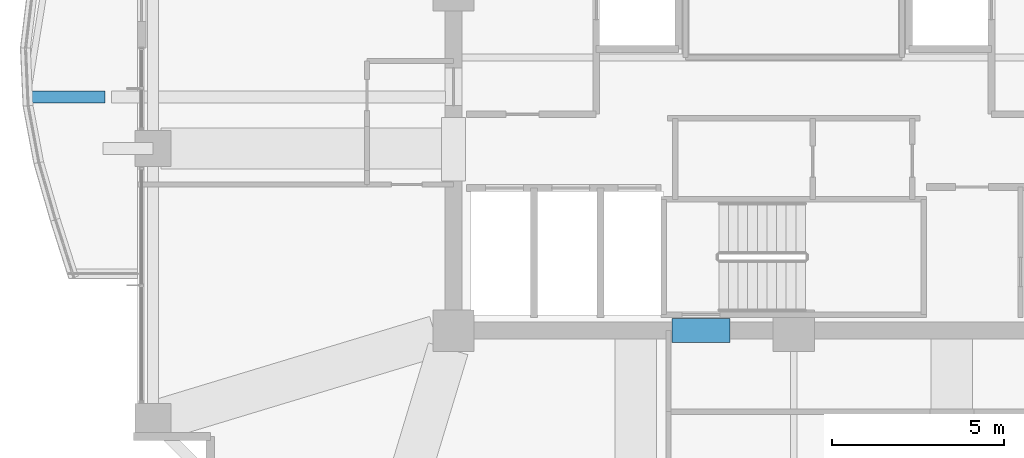
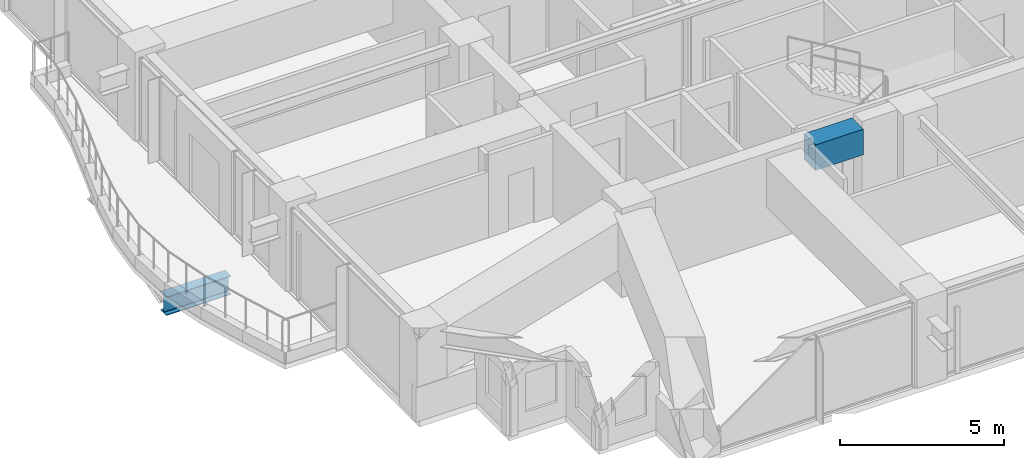
# One storey, part 8 of 36: 2 beams.
"""IFC4 building model written with IfcOpenShell, lengths in metres."""

from ifc_helpers import new_model, si_unit, direction, frame, origin, origin_2d, place, context, subcontext, project, spatial, rectangle, i_section, extrude, material, material_profile, profile_set, type_object, element, save


model = new_model("IFC4")

# Units and contexts
model_context = context("Model", 3, precision=1e-05, world=origin(), true_north=direction((0.0, 1.0)))
body_context = subcontext(model_context, "Body", "Model", "MODEL_VIEW")
ifc_project = project(units=[si_unit("LENGTHUNIT", "METRE"), si_unit("AREAUNIT", "SQUARE_METRE"), si_unit("VOLUMEUNIT", "CUBIC_METRE"), si_unit("PLANEANGLEUNIT", "RADIAN"), si_unit("MASSUNIT", "GRAM", prefix="KILO")], contexts=[model_context])

# Site, building, storey
site_placement = place(None, origin())
site = spatial("IfcSite", under=ifc_project, at=site_placement, CompositionType="ELEMENT")
building_placement = place(site_placement, origin())
building = spatial("IfcBuilding", under=site, at=building_placement, Name="Kolvaren Belvedere", CompositionType="ELEMENT")
storey_placement = place(building_placement, frame((0.0, 0.0, 108.5)))
storey = spatial("IfcBuildingStorey", under=building, at=storey_placement, Name="L31", CompositionType="ELEMENT", Elevation=108.5)

# Beams
ifc_material_1 = material(Name="Structural steel ASTM A992 Grade 50", Category="steel")
ifc_material_profile_1 = material_profile(ifc_material_1, i_section(OverallWidth=0.35498046875, OverallDepth=0.696044921875, WebThickness=0.015380859375, FlangeThickness=0.02490234375, FilletRadius=0.02197265625, at=origin_2d()), Name="W27X146")
ifc_profile_set_1 = profile_set([ifc_material_profile_1], Name="Structural steel ASTM A992 Grade 50")
beam_type_1 = type_object("IfcBeamType", Name="BM-CANT-BAL", PredefinedType="BEAM", material=ifc_profile_set_1)
beam_1_placement = place(storey_placement, frame((-20.044921875, -3.10009765625, -0.568115234375), z_axis=(-1.0, 0.0, 0.0), x_axis=(0.0, -1.0, 0.0)))
element("IfcBeam", 1, at=beam_1_placement, inside=storey, type_object=beam_type_1, Name="L31 Planted Balcony Cantilever BAL-W-1", PredefinedType="BEAM", context=body_context, shape_type="SweptSolid", body=[
    extrude(i_section(OverallWidth=0.35498046875, OverallDepth=0.696044921875, WebThickness=0.015380859375, FlangeThickness=0.02490234375, FilletRadius=0.02197265625, at=origin_2d()), origin(), (0.0, 0.0, 1.0), 2.27099609375),
])
ifc_material_2 = material(Name="Concrete C60/75", Category="concrete")
ifc_material_profile_2 = material_profile(ifc_material_2, rectangle(XDim=0.699951171875, YDim=0.949951171875, at=origin_2d()), Name="RC 700X950")
ifc_profile_set_2 = profile_set([ifc_material_profile_2], Name="Concrete C60/75")
beam_type_2 = type_object("IfcBeamType", Name="BM-LINT-950", PredefinedType="LINTEL", material=ifc_profile_set_2)
beam_2_placement = place(storey_placement, frame((-3.5400390625, -9.89990234375, 2.60498046875), z_axis=(1.0, 0.0, 0.0), x_axis=(0.0, 1.0, 0.0)))
element("IfcBeam", 2, at=beam_2_placement, inside=storey, type_object=beam_type_2, Name="L31 South Core Coupling Lintel", PredefinedType="LINTEL", context=body_context, shape_type="SweptSolid", body=[
    extrude(rectangle(XDim=0.699951171875, YDim=0.949951171875, at=origin_2d()), origin(), (0.0, 0.0, 1.0), 1.679931640625),
])

save(model, "model.ifc")
